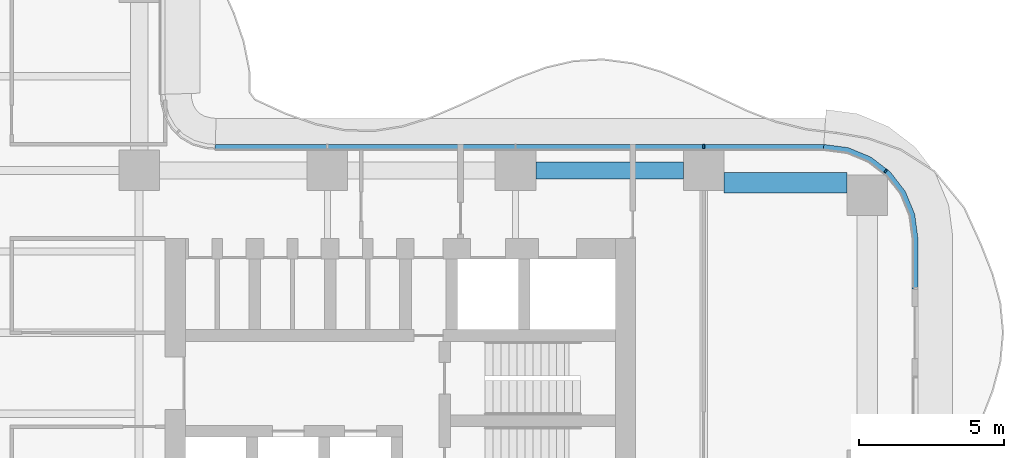
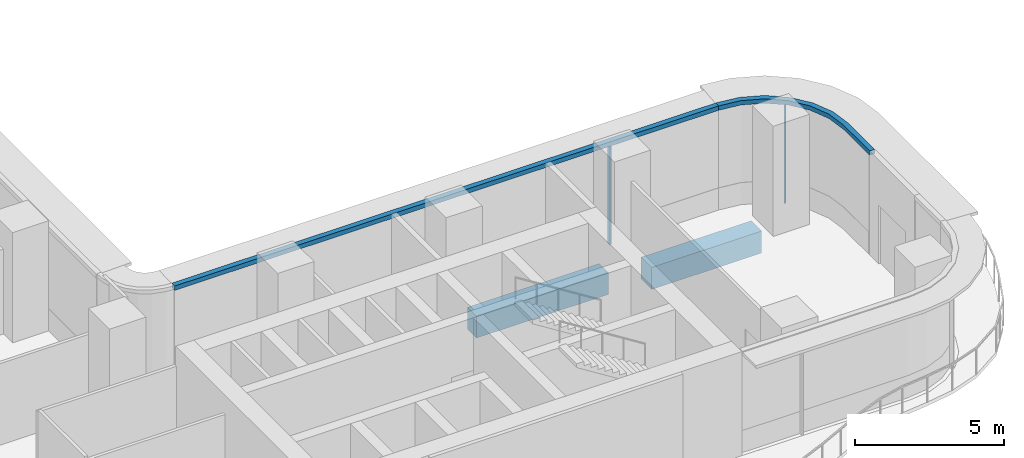
# One storey, part 11 of 22: 4 members, 2 beams, 2 elements without a shape of their own.
"""IFC4 building model written with IfcOpenShell, lengths in metres."""

from ifc_helpers import new_model, si_unit, direction, frame, origin, origin_2d, place, context, subcontext, project, spatial, polyline, rectangle, outline, extrude, source, transform, mapped, material, layer, layer_set, material_profile, profile_set, type_object, element, aggregate, save


model = new_model("IFC4")

# Units and contexts
model_context = context("Model", 3, precision=1e-05, world=origin(), true_north=direction((0.0, 1.0)))
body_context = subcontext(model_context, "Body", "Model", "MODEL_VIEW")
ifc_project = project(units=[si_unit("LENGTHUNIT", "METRE"), si_unit("AREAUNIT", "SQUARE_METRE"), si_unit("VOLUMEUNIT", "CUBIC_METRE"), si_unit("PLANEANGLEUNIT", "RADIAN"), si_unit("MASSUNIT", "GRAM", prefix="KILO")], contexts=[model_context])

# Site, building, storey
site_placement = place(None, origin())
site = spatial("IfcSite", under=ifc_project, at=site_placement, CompositionType="ELEMENT")
building_placement = place(site_placement, origin())
building = spatial("IfcBuilding", under=site, at=building_placement, Name="Trellis Farm Tower", CompositionType="ELEMENT")
storey_placement = place(building_placement, frame((0.0, 0.0, 79.0)))
storey = spatial("IfcBuildingStorey", under=building, at=storey_placement, Name="L16", CompositionType="ELEMENT", Elevation=79.0)

# Beams
ifc_material_1 = material(Name="Concrete C60/75", Category="concrete")
ifc_material_profile_1 = material_profile(ifc_material_1, rectangle(XDim=0.60009765625, YDim=0.89990234375, at=origin_2d()), Name="RC spandrel beam 600x900 C60/75")
ifc_profile_set_1 = profile_set([ifc_material_profile_1], Name="Concrete C60/75")
beam_type_1 = type_object("IfcBeamType", Name="RC spandrel beam 600x900 C60/75", PredefinedType="SPANDREL", material=ifc_profile_set_1)
shared_shape_1 = source(origin(), body_context, "Body", "SweptSolid", [
    extrude(rectangle(XDim=0.60009765625, YDim=0.89990234375, at=origin_2d()), origin(), (0.0, 0.0, 1.0), 5.099853515625),
])
beam_1_placement = place(storey_placement, frame((19.300048828125, 5.60009765625, -0.699951171875), z_axis=(1.0, 0.0, 0.0), x_axis=(0.0, 1.0, 0.0)))
element("IfcBeam", 1, at=beam_1_placement, inside=storey, type_object=beam_type_1, Name="Girder", PredefinedType="SPANDREL", context=body_context, shape_type="MappedRepresentation", body=[
    mapped(shared_shape_1, transform((0.0, 0.0, 0.0))),
])
ifc_material_profile_2 = material_profile(ifc_material_1, rectangle(XDim=0.699951171875, YDim=0.89990234375, at=origin_2d()), Name="RC spandrel beam 700x900 C60/75")
ifc_profile_set_2 = profile_set([ifc_material_profile_2], Name="Concrete C60/75")
beam_type_2 = type_object("IfcBeamType", Name="RC spandrel beam 700x900 C60/75", PredefinedType="SPANDREL", material=ifc_profile_set_2)
shared_shape_2 = source(origin(), body_context, "Body", "SweptSolid", [
    extrude(rectangle(XDim=0.699951171875, YDim=0.89990234375, at=origin_2d()), origin(), (0.0, 0.0, 1.0), 4.25),
])
beam_2_placement = place(storey_placement, frame((25.800048828125, 5.175048828125, -0.699951171875), z_axis=(1.0, 0.0, 0.0), x_axis=(0.0, 1.0, 0.0)))
element("IfcBeam", 2, at=beam_2_placement, inside=storey, type_object=beam_type_2, Name="Girder", PredefinedType="SPANDREL", context=body_context, shape_type="MappedRepresentation", body=[
    mapped(shared_shape_2, transform((0.0, 0.0, 0.0))),
])

# Curtain wall, member
ifc_material_2 = material(Name="Aluminium and glass curtain wall", Category="aluminium")
ifc_layer_1 = layer(ifc_material_2, 0.18994140625)
ifc_layer_set_1 = layer_set([ifc_layer_1], Name="RIBBON CURTAIN WALL CW1")
curtain_wall_type = type_object("IfcCurtainWallType", Name="RIBBON CURTAIN WALL CW1", PredefinedType="NOTDEFINED", material=ifc_layer_set_1)
placement_1 = place(storey_placement, origin())
curtain_wall_1 = element("IfcCurtainWall", 3, at=placement_1, inside=storey, type_object=curtain_wall_type, Name="CW1 007", PredefinedType="NOTDEFINED")
ifc_material_3 = material(Name="Aluminium extrusion 6063-T6", Category="aluminium")
ifc_material_profile_3 = material_profile(ifc_material_3, rectangle(XDim=0.06005859375, YDim=0.14990234375, at=origin_2d()), Name="MULLION 60x150")
ifc_profile_set_3 = profile_set([ifc_material_profile_3], Name="Aluminium extrusion 6063-T6")
member_type_1 = type_object("IfcMemberType", Name="CW1 MULLION 60x150", PredefinedType="MULLION", material=ifc_profile_set_3)
shared_shape_3 = source(origin(), body_context, "Body", "SweptSolid", [
    extrude(rectangle(XDim=0.06005859375, YDim=0.14990234375, at=origin_2d()), origin(), (0.0, 0.0, 1.0), 4.070068359375),
])
member_1_placement = place(storey_placement, frame((31.385498046875, 5.578369140625, 0.0), z_axis=(0.0, 0.0, 1.0), x_axis=(-0.793353340291, 0.608761429009, 0.0)))
member_1 = element("IfcMember", 4, at=member_1_placement, type_object=member_type_1, Name="MU1 007-02", PredefinedType="MULLION", context=body_context, shape_type="MappedRepresentation", body=[
    mapped(shared_shape_3, transform((0.0, 0.0, 0.0))),
])

# Curtain wall, members
curtain_wall_2 = element("IfcCurtainWall", 5, at=placement_1, inside=storey, type_object=curtain_wall_type, Name="CW1 008", PredefinedType="NOTDEFINED")
member_2_placement = place(storey_placement, frame((25.10009765625, 6.425048828125, 0.0), z_axis=(0.0, 0.0, 1.0), x_axis=(-1.0, 0.0, 0.0)))
member_2 = element("IfcMember", 6, at=member_2_placement, type_object=member_type_1, Name="MU1 008-01", PredefinedType="MULLION", context=body_context, shape_type="MappedRepresentation", body=[
    mapped(shared_shape_3, transform((0.0, 0.0, 0.0))),
])
ifc_layer_2 = layer(ifc_material_3, 0.199951171875)
ifc_layer_set_2 = layer_set([ifc_layer_2], Name="Aluminium extrusion 6063-T6")
member_type_2 = type_object("IfcMemberType", Name="CW1 TRANSOM 200x180", PredefinedType="USERDEFINED", material=ifc_layer_set_2)
shared_shape_4 = source(origin(), body_context, "Body", "SweptSolid", [
    extrude(outline(polyline([(29.25, 6.5), (8.2314453125, 6.5), (8.224853515625, 6.300048828125), (29.23681640625, 6.300048828125), (29.25, 6.5)])), origin(), (0.0, 0.0, 1.0), 0.179931640625),
])
placement_2 = place(storey_placement, frame((0.0, 0.0, 4.070068359375)))
member_3 = element("IfcMember", 7, at=placement_2, type_object=member_type_2, Name="TR1 008", ObjectType="TRANSOM", PredefinedType="USERDEFINED", context=body_context, shape_type="MappedRepresentation", body=[
    mapped(shared_shape_4, transform((0.0, 0.0, 0.0))),
])
aggregate(curtain_wall_2, [member_2, member_3])

# Member
shared_shape_5 = source(origin(), body_context, "Body", "SweptSolid", [
    extrude(outline(polyline([(32.5, 1.5), (32.5, 3.25), (32.38916015625, 4.091064453125), (32.064697265625, 4.875), (31.548095703125, 5.548095703125), (30.875, 6.064697265625), (30.091064453125, 6.38916015625), (29.25, 6.5), (29.23681640625, 6.300048828125), (30.0390625, 6.1943359375), (30.774169921875, 5.889892578125), (31.405517578125, 5.405517578125), (31.889892578125, 4.774169921875), (32.1943359375, 4.0390625), (32.300048828125, 3.23681640625), (32.300048828125, 1.5), (32.5, 1.5)])), origin(), (0.0, 0.0, 1.0), 0.179931640625),
])
member_4 = element("IfcMember", 8, at=placement_2, type_object=member_type_2, Name="TR1 007", ObjectType="TRANSOM", PredefinedType="USERDEFINED", context=body_context, shape_type="MappedRepresentation", body=[
    mapped(shared_shape_5, transform((0.0, 0.0, 0.0))),
])

aggregate(curtain_wall_1, [member_1, member_4])

save(model, "model.ifc")
